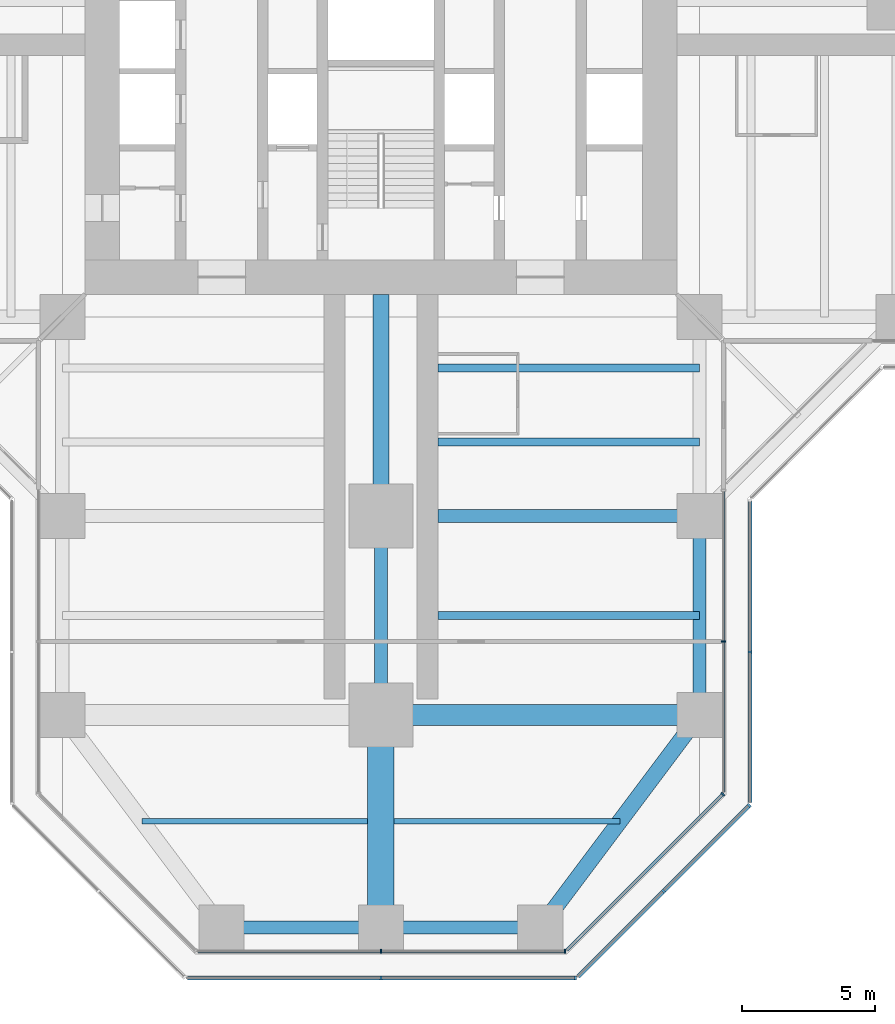
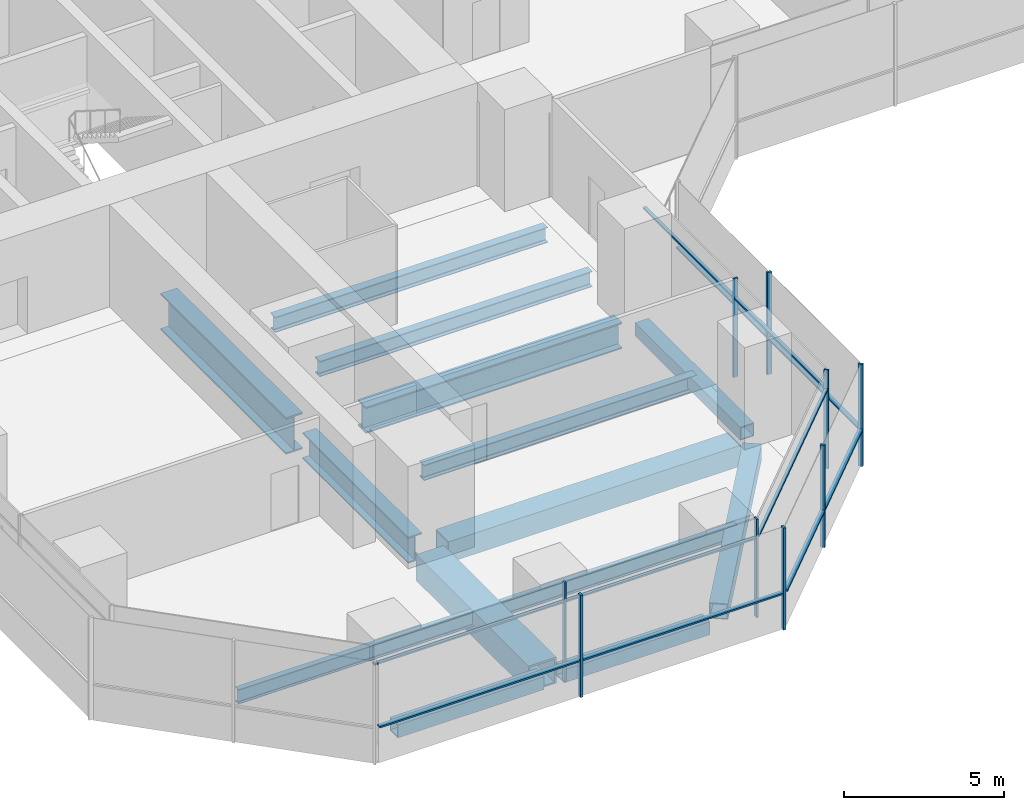
# One storey, part 5 of 22: 20 members, 14 beams, 6 elements without a shape of their own.
"""IFC4 building model written with IfcOpenShell, lengths in metres."""

from ifc_helpers import new_model, si_unit, direction, frame, origin, origin_2d, place, context, subcontext, project, spatial, rectangle, hollow_rectangle, i_section, extrude, material, material_profile, profile_set, type_object, element, aggregate, save


model = new_model("IFC4")

# Units and contexts
model_context = context("Model", 3, precision=1e-05, world=origin(), true_north=direction((0.0, 1.0)))
body_context = subcontext(model_context, "Body", "Model", "MODEL_VIEW")
ifc_project = project(units=[si_unit("LENGTHUNIT", "METRE"), si_unit("AREAUNIT", "SQUARE_METRE"), si_unit("VOLUMEUNIT", "CUBIC_METRE"), si_unit("PLANEANGLEUNIT", "RADIAN"), si_unit("MASSUNIT", "GRAM", prefix="KILO")], contexts=[model_context])

# Site, building, storey
site_placement = place(None, origin())
site = spatial("IfcSite", under=ifc_project, at=site_placement, CompositionType="ELEMENT")
building_placement = place(site_placement, origin())
building = spatial("IfcBuilding", under=site, at=building_placement, Name="Mizan Broadcast Tower", CompositionType="ELEMENT")
storey_placement = place(building_placement, frame((0.0, 0.0, 105.89990234375)))
storey = spatial("IfcBuildingStorey", under=building, at=storey_placement, Name="L23", CompositionType="ELEMENT", Elevation=105.89990234375)

# Beams
ifc_material_1 = material(Name="Steel S355", Category="steel")
ifc_material_profile_1 = material_profile(ifc_material_1, hollow_rectangle(XDim=0.5, YDim=0.5, WallThickness=0.030029296875, at=origin_2d()), Name="BOX 500x500x30")
ifc_profile_set_1 = profile_set([ifc_material_profile_1], Name="Steel S355")
beam_type_1 = type_object("IfcBeamType", Name="EDGE BEAM BOX 500x500x30", PredefinedType="SPANDREL", material=ifc_profile_set_1)
beam_1_placement = place(storey_placement, frame((-5.639892578125, -35.0, -0.3798828125), z_axis=(1.0, 0.0, 0.0), x_axis=(0.0, 1.0, 0.0)))
element("IfcBeam", 1, at=beam_1_placement, inside=storey, type_object=beam_type_1, Name="Edge beam BOX 500x500x30 L23 south arm", PredefinedType="SPANDREL", context=body_context, shape_type="SweptSolid", body=[
    extrude(hollow_rectangle(XDim=0.5, YDim=0.5, WallThickness=0.030029296875, at=origin_2d()), origin(), (0.0, 0.0, 1.0), 5.27978515625),
])
beam_2_placement = place(storey_placement, frame((12.0, -19.949951171875, -0.3798828125), z_axis=(0.0, -1.0, 0.0), x_axis=(1.0, 0.0, 0.0)))
element("IfcBeam", 2, at=beam_2_placement, inside=storey, type_object=beam_type_1, Name="Edge beam BOX 500x500x30 L23 south arm", PredefinedType="SPANDREL", context=body_context, shape_type="SweptSolid", body=[
    extrude(hollow_rectangle(XDim=0.5, YDim=0.5, WallThickness=0.030029296875, at=origin_2d()), origin(), (0.0, 0.0, 1.0), 6.60009765625),
])
beam_3_placement = place(storey_placement, frame((5.639892578125, -35.0, -0.3798828125), z_axis=(-1.0, 0.0, 0.0), x_axis=(0.0, -1.0, 0.0)))
element("IfcBeam", 3, at=beam_3_placement, inside=storey, type_object=beam_type_1, Name="Edge beam BOX 500x500x30 L23 south arm", PredefinedType="SPANDREL", context=body_context, shape_type="SweptSolid", body=[
    extrude(hollow_rectangle(XDim=0.5, YDim=0.5, WallThickness=0.030029296875, at=origin_2d()), origin(), (0.0, 0.0, 1.0), 5.27978515625),
])
ifc_material_2 = material(Name="Steel S355", Category="steel")
ifc_material_profile_2 = material_profile(ifc_material_2, hollow_rectangle(XDim=0.60009765625, YDim=0.60009765625, WallThickness=0.030029296875, at=origin_2d()), Name="BOX 600x600x30")
ifc_profile_set_2 = profile_set([ifc_material_profile_2], Name="Steel S355")
beam_type_2 = type_object("IfcBeamType", Name="EDGE BEAM BOX 600x600x30", PredefinedType="SPANDREL", material=ifc_profile_set_2)
beam_4_placement = place(storey_placement, frame((11.639892578125, -27.47998046875, -0.429931640625), z_axis=(-0.599982243973, -0.800013316712, 0.0), x_axis=(0.800013316712, -0.599982243973, 0.0)))
element("IfcBeam", 4, at=beam_4_placement, inside=storey, type_object=beam_type_2, Name="Edge beam BOX 600x600x30 L23 south arm", PredefinedType="SPANDREL", context=body_context, shape_type="SweptSolid", body=[
    extrude(hollow_rectangle(XDim=0.60009765625, YDim=0.60009765625, WallThickness=0.030029296875, at=origin_2d()), origin(), (0.0, 0.0, 1.0), 8.7998046875),
])
ifc_material_3 = material(Name="Steel S460", Category="steel")
ifc_material_profile_3 = material_profile(ifc_material_3, hollow_rectangle(XDim=1.0, YDim=1.0, WallThickness=0.06005859375, at=origin_2d()), Name="BOX 1000x1000x60")
ifc_profile_set_3 = profile_set([ifc_material_profile_3], Name="Steel S460")
beam_type_3 = type_object("IfcBeamType", Name="GIRDER BOX 1000x1000x60", PredefinedType="BEAM", material=ifc_profile_set_3)
beam_5_placement = place(storey_placement, frame((0.0, -27.47998046875, -0.6298828125), z_axis=(0.0, -1.0, 0.0), x_axis=(1.0, 0.0, 0.0)))
element("IfcBeam", 5, at=beam_5_placement, inside=storey, type_object=beam_type_3, Name="Girder BOX 1000x1000x60 L23 south arm", PredefinedType="BEAM", context=body_context, shape_type="SweptSolid", body=[
    extrude(hollow_rectangle(XDim=1.0, YDim=1.0, WallThickness=0.06005859375, at=origin_2d()), origin(), (0.0, 0.0, 1.0), 7.0400390625),
])
ifc_material_4 = material(Name="Steel S460", Category="steel")
ifc_material_profile_4 = material_profile(ifc_material_4, hollow_rectangle(XDim=0.800048828125, YDim=0.800048828125, WallThickness=0.050048828125, at=origin_2d()), Name="BOX 800x800x50")
ifc_profile_set_4 = profile_set([ifc_material_profile_4], Name="Steel S460")
beam_type_4 = type_object("IfcBeamType", Name="GIRDER BOX 800x800x50", PredefinedType="BEAM", material=ifc_profile_set_4)
beam_6_placement = place(storey_placement, frame((11.280029296875, -27.0, -0.52978515625), z_axis=(-1.0, 0.0, 0.0), x_axis=(0.0, -1.0, 0.0)))
element("IfcBeam", 6, at=beam_6_placement, inside=storey, type_object=beam_type_4, Name="Girder BOX 800x800x50 L23 south arm", PredefinedType="BEAM", context=body_context, shape_type="SweptSolid", body=[
    extrude(hollow_rectangle(XDim=0.800048828125, YDim=0.800048828125, WallThickness=0.050048828125, at=origin_2d()), origin(), (0.0, 0.0, 1.0), 10.56005859375),
])
ifc_material_5 = material(Name="Steel S460", Category="steel")
ifc_material_profile_5 = material_profile(ifc_material_5, i_section(OverallWidth=0.5, OverallDepth=1.0, WebThickness=0.02490234375, FlangeThickness=0.050048828125, at=origin_2d()), Name="WPG 1000x500")
ifc_profile_set_5 = profile_set([ifc_material_profile_5], Name="Steel S460")
beam_type_5 = type_object("IfcBeamType", Name="GIRDER WPG 1000x500", PredefinedType="BEAM", material=ifc_profile_set_5)
beam_7_placement = place(storey_placement, frame((0.0, -19.949951171875, -0.6298828125), z_axis=(0.0, -1.0, 0.0), x_axis=(1.0, 0.0, 0.0)))
element("IfcBeam", 7, at=beam_7_placement, inside=storey, type_object=beam_type_5, Name="Girder WPG 1000x500 L23 south arm", PredefinedType="BEAM", context=body_context, shape_type="SweptSolid", body=[
    extrude(i_section(OverallWidth=0.5, OverallDepth=1.0, WebThickness=0.02490234375, FlangeThickness=0.050048828125, at=origin_2d()), origin(), (0.0, 0.0, 1.0), 6.60009765625),
])
beam_8_placement = place(storey_placement, frame((11.408935546875, -19.5, -0.6298828125), z_axis=(-1.0, 0.0, 0.0), x_axis=(0.0, -1.0, 0.0)))
element("IfcBeam", 8, at=beam_8_placement, inside=storey, type_object=beam_type_5, Name="Girder WPG 1000x500 L23 south arm", PredefinedType="BEAM", context=body_context, shape_type="SweptSolid", body=[
    extrude(i_section(OverallWidth=0.5, OverallDepth=1.0, WebThickness=0.02490234375, FlangeThickness=0.050048828125, at=origin_2d()), origin(), (0.0, 0.0, 1.0), 9.259033203125),
])
ifc_material_6 = material(Name="Steel S460", Category="steel")
ifc_material_profile_6 = material_profile(ifc_material_6, i_section(OverallWidth=0.60009765625, OverallDepth=1.39990234375, WebThickness=0.02490234375, FlangeThickness=0.06005859375, at=origin_2d()), Name="WPG 1400x600")
ifc_profile_set_6 = profile_set([ifc_material_profile_6], Name="Steel S460")
beam_type_6 = type_object("IfcBeamType", Name="GIRDER WPG 1400x600", PredefinedType="BEAM", material=ifc_profile_set_6)
beam_9_placement = place(storey_placement, frame((0.0, -11.14990234375, -0.829833984375), z_axis=(0.0, -1.0, 0.0), x_axis=(1.0, 0.0, 0.0)))
element("IfcBeam", 9, at=beam_9_placement, inside=storey, type_object=beam_type_6, Name="Girder WPG 1400x600 L23 south arm", PredefinedType="BEAM", context=body_context, shape_type="SweptSolid", body=[
    extrude(i_section(OverallWidth=0.60009765625, OverallDepth=1.39990234375, WebThickness=0.02490234375, FlangeThickness=0.06005859375, at=origin_2d()), origin(), (0.0, 0.0, 1.0), 7.84912109375),
])

# Curtain wall, members
ifc_material_7 = material(Name="Aluminium framed glazing", Category="aluminium")
curtain_wall_type_1 = type_object("IfcCurtainWallType", Name="INNER SKIN LOW ZONE", PredefinedType="USERDEFINED", material=ifc_material_7)
curtain_wall_1_placement = place(storey_placement, origin())
curtain_wall_1 = element("IfcCurtainWall", 10, at=curtain_wall_1_placement, inside=storey, type_object=curtain_wall_type_1, Name="Inner skin low zone L23 S end", ObjectType="INNER SKIN LOW ZONE", PredefinedType="USERDEFINED")
ifc_material_8 = material(Name="Aluminium, pale anodised", Category="aluminium")
ifc_material_profile_7 = material_profile(ifc_material_8, rectangle(XDim=0.159912109375, YDim=0.06005859375, at=origin_2d()), Name="MULLION 160x60")
ifc_profile_set_7 = profile_set([ifc_material_profile_7], Name="Aluminium, pale anodised")
member_type_1 = type_object("IfcMemberType", Name="INNER SKIN MULLION 60x160", PredefinedType="MULLION", material=ifc_profile_set_7)
member_1_placement = place(storey_placement, frame((0.0, -35.89990234375, 0.0), z_axis=(0.0, 0.0, 1.0), x_axis=(0.0, 1.0, 0.0)))
member_1 = element("IfcMember", 11, at=member_1_placement, type_object=member_type_1, Name="Inner skin low zone L23 S end mullion 2", PredefinedType="MULLION", context=body_context, shape_type="SweptSolid", body=[
    extrude(rectangle(XDim=0.159912109375, YDim=0.06005859375, at=origin_2d()), origin(), (0.0, 0.0, 1.0), 3.77001953125),
])
member_2_placement = place(storey_placement, frame((6.928466796875, -35.89990234375, 0.0), z_axis=(0.0, 0.0, 1.0), x_axis=(0.0, 1.0, 0.0)))
member_2 = element("IfcMember", 12, at=member_2_placement, type_object=member_type_1, Name="Inner skin low zone L23 S end mullion 3", PredefinedType="MULLION", context=body_context, shape_type="SweptSolid", body=[
    extrude(rectangle(XDim=0.159912109375, YDim=0.06005859375, at=origin_2d()), origin(), (0.0, 0.0, 1.0), 3.77001953125),
])

# Curtain wall, member
curtain_wall_2_placement = place(storey_placement, origin())
curtain_wall_2 = element("IfcCurtainWall", 13, at=curtain_wall_2_placement, inside=storey, type_object=curtain_wall_type_1, Name="Inner skin low zone L23 S chamfer", ObjectType="INNER SKIN LOW ZONE", PredefinedType="USERDEFINED")
member_3_placement = place(storey_placement, frame((12.87890625, -29.979736328125, 0.0), z_axis=(0.0, 0.0, 1.0), x_axis=(-0.707106781187, 0.707106781187, 0.0)))
member_3 = element("IfcMember", 14, at=member_3_placement, type_object=member_type_1, Name="Inner skin low zone L23 S chamfer mullion 2", PredefinedType="MULLION", context=body_context, shape_type="SweptSolid", body=[
    extrude(rectangle(XDim=0.159912109375, YDim=0.06005859375, at=origin_2d()), origin(), (0.0, 0.0, 1.0), 3.77001953125),
])

curtain_wall_3_placement = place(storey_placement, origin())
curtain_wall_3 = element("IfcCurtainWall", 15, at=curtain_wall_3_placement, inside=storey, type_object=curtain_wall_type_1, Name="Inner skin low zone L23 S side", ObjectType="INNER SKIN LOW ZONE", PredefinedType="USERDEFINED")
member_4_placement = place(storey_placement, frame((12.89990234375, -24.229248046875, 0.0), z_axis=(0.0, 0.0, 1.0), x_axis=(-1.0, 0.0, 0.0)))
member_4 = element("IfcMember", 16, at=member_4_placement, type_object=member_type_1, Name="Inner skin low zone L23 S side mullion 2", PredefinedType="MULLION", context=body_context, shape_type="SweptSolid", body=[
    extrude(rectangle(XDim=0.159912109375, YDim=0.06005859375, at=origin_2d()), origin(), (0.0, 0.0, 1.0), 3.77001953125),
])

# Member
ifc_material_9 = material(Name="Aluminium, pale anodised", Category="aluminium")
ifc_material_profile_8 = material_profile(ifc_material_9, rectangle(XDim=0.1201171875, YDim=0.06005859375, at=origin_2d()), Name="TRANSOM 120x60")
ifc_profile_set_8 = profile_set([ifc_material_profile_8], Name="Aluminium, pale anodised")
member_type_2 = type_object("IfcMemberType", Name="INNER SKIN TRANSOM 60x120", PredefinedType="USERDEFINED", material=ifc_profile_set_8)
member_5_placement = place(storey_placement, frame((-6.898681640625, -35.89990234375, 3.030029296875), z_axis=(1.0, 0.0, 0.0), x_axis=(0.0, 1.0, 0.0)))
member_5 = element("IfcMember", 17, at=member_5_placement, type_object=member_type_2, Name="Inner skin low zone L23 S end transom 1.1", ObjectType="TRANSOM", PredefinedType="USERDEFINED", context=body_context, shape_type="SweptSolid", body=[
    extrude(rectangle(XDim=0.1201171875, YDim=0.06005859375, at=origin_2d()), origin(), (0.0, 0.0, 1.0), 6.86865234375),
])

member_6_placement = place(storey_placement, frame((0.030029296875, -35.89990234375, 3.030029296875), z_axis=(1.0, 0.0, 0.0), x_axis=(0.0, 1.0, 0.0)))
member_6 = element("IfcMember", 18, at=member_6_placement, type_object=member_type_2, Name="Inner skin low zone L23 S end transom 2.1", ObjectType="TRANSOM", PredefinedType="USERDEFINED", context=body_context, shape_type="SweptSolid", body=[
    extrude(rectangle(XDim=0.1201171875, YDim=0.06005859375, at=origin_2d()), origin(), (0.0, 0.0, 1.0), 6.86865234375),
])

aggregate(curtain_wall_1, [member_1, member_2, member_5, member_6])

member_7_placement = place(storey_placement, frame((7.0009765625, -35.857666015625, 3.030029296875), z_axis=(0.707106781187, 0.707106781187, 0.0), x_axis=(-0.707106781187, 0.707106781187, 0.0)))
member_7 = element("IfcMember", 19, at=member_7_placement, type_object=member_type_2, Name="Inner skin low zone L23 S chamfer transom 1.1", ObjectType="TRANSOM", PredefinedType="USERDEFINED", context=body_context, shape_type="SweptSolid", body=[
    extrude(rectangle(XDim=0.1201171875, YDim=0.06005859375, at=origin_2d()), origin(), (0.0, 0.0, 1.0), 8.28271484375),
])

aggregate(curtain_wall_2, [member_3, member_7])

member_8_placement = place(storey_placement, frame((12.89990234375, -29.898681640625, 3.030029296875), z_axis=(0.0, 1.0, 0.0), x_axis=(-1.0, 0.0, 0.0)))
member_8 = element("IfcMember", 20, at=member_8_placement, type_object=member_type_2, Name="Inner skin low zone L23 S side transom 1.1", ObjectType="TRANSOM", PredefinedType="USERDEFINED", context=body_context, shape_type="SweptSolid", body=[
    extrude(rectangle(XDim=0.1201171875, YDim=0.06005859375, at=origin_2d()), origin(), (0.0, 0.0, 1.0), 5.639404296875),
])

member_9_placement = place(storey_placement, frame((12.89990234375, -24.19921875, 3.030029296875), z_axis=(0.0, 1.0, 0.0), x_axis=(-1.0, 0.0, 0.0)))
member_9 = element("IfcMember", 21, at=member_9_placement, type_object=member_type_2, Name="Inner skin low zone L23 S side transom 2.1", ObjectType="TRANSOM", PredefinedType="USERDEFINED", context=body_context, shape_type="SweptSolid", body=[
    extrude(rectangle(XDim=0.1201171875, YDim=0.06005859375, at=origin_2d()), origin(), (0.0, 0.0, 1.0), 5.63916015625),
])

aggregate(curtain_wall_3, [member_4, member_8, member_9])

# Curtain wall, members
ifc_material_10 = material(Name="Aluminium framed glazing", Category="aluminium")
curtain_wall_type_2 = type_object("IfcCurtainWallType", Name="OUTER SKIN", PredefinedType="USERDEFINED", material=ifc_material_10)
curtain_wall_4_placement = place(storey_placement, origin())
curtain_wall_4 = element("IfcCurtainWall", 22, at=curtain_wall_4_placement, inside=storey, type_object=curtain_wall_type_2, Name="Outer skin L23 S end", ObjectType="OUTER SKIN", PredefinedType="USERDEFINED")
ifc_material_11 = material(Name="Aluminium, pale anodised", Category="aluminium")
ifc_material_profile_9 = material_profile(ifc_material_11, rectangle(XDim=0.159912109375, YDim=0.080078125, at=origin_2d()), Name="MULLION 160x80")
ifc_profile_set_9 = profile_set([ifc_material_profile_9], Name="Aluminium, pale anodised")
member_type_3 = type_object("IfcMemberType", Name="OUTER SKIN MULLION 80x160", PredefinedType="MULLION", material=ifc_profile_set_9)
member_10_placement = place(storey_placement, frame((0.0, -36.89990234375, 0.0), z_axis=(0.0, 0.0, 1.0), x_axis=(0.0, 1.0, 0.0)))
member_10 = element("IfcMember", 23, at=member_10_placement, type_object=member_type_3, Name="Outer skin L23 S end mullion 2", PredefinedType="MULLION", context=body_context, shape_type="SweptSolid", body=[
    extrude(rectangle(XDim=0.159912109375, YDim=0.080078125, at=origin_2d()), origin(), (0.0, 0.0, 1.0), 3.900146484375),
])
member_11_placement = place(storey_placement, frame((7.332763671875, -36.89990234375, 0.0), z_axis=(0.0, 0.0, 1.0), x_axis=(0.0, 1.0, 0.0)))
member_11 = element("IfcMember", 24, at=member_11_placement, type_object=member_type_3, Name="Outer skin L23 S end mullion 3", PredefinedType="MULLION", context=body_context, shape_type="SweptSolid", body=[
    extrude(rectangle(XDim=0.159912109375, YDim=0.080078125, at=origin_2d()), origin(), (0.0, 0.0, 1.0), 3.900146484375),
])

curtain_wall_5_placement = place(storey_placement, origin())
curtain_wall_5 = element("IfcCurtainWall", 25, at=curtain_wall_5_placement, inside=storey, type_object=curtain_wall_type_2, Name="Outer skin L23 S chamfer", ObjectType="OUTER SKIN", PredefinedType="USERDEFINED")
member_12_placement = place(storey_placement, frame((10.636474609375, -33.636474609375, 0.0), z_axis=(0.0, 0.0, 1.0), x_axis=(-0.707106781187, 0.707106781187, 0.0)))
member_12 = element("IfcMember", 26, at=member_12_placement, type_object=member_type_3, Name="Outer skin L23 S chamfer mullion 2", PredefinedType="MULLION", context=body_context, shape_type="SweptSolid", body=[
    extrude(rectangle(XDim=0.159912109375, YDim=0.080078125, at=origin_2d()), origin(), (0.0, 0.0, 1.0), 3.900146484375),
])
member_13_placement = place(storey_placement, frame((13.871826171875, -30.401123046875, 0.0), z_axis=(0.0, 0.0, 1.0), x_axis=(-0.707106781187, 0.707106781187, 0.0)))
member_13 = element("IfcMember", 27, at=member_13_placement, type_object=member_type_3, Name="Outer skin L23 S chamfer mullion 3", PredefinedType="MULLION", context=body_context, shape_type="SweptSolid", body=[
    extrude(rectangle(XDim=0.159912109375, YDim=0.080078125, at=origin_2d()), origin(), (0.0, 0.0, 1.0), 3.900146484375),
])

# Curtain wall, member
curtain_wall_6_placement = place(storey_placement, origin())
curtain_wall_6 = element("IfcCurtainWall", 28, at=curtain_wall_6_placement, inside=storey, type_object=curtain_wall_type_2, Name="Outer skin L23 S side", ObjectType="OUTER SKIN", PredefinedType="USERDEFINED")
member_14_placement = place(storey_placement, frame((13.89990234375, -24.622802734375, 0.0), z_axis=(0.0, 0.0, 1.0), x_axis=(-1.0, 0.0, 0.0)))
member_14 = element("IfcMember", 29, at=member_14_placement, type_object=member_type_3, Name="Outer skin L23 S side mullion 2", PredefinedType="MULLION", context=body_context, shape_type="SweptSolid", body=[
    extrude(rectangle(XDim=0.159912109375, YDim=0.080078125, at=origin_2d()), origin(), (0.0, 0.0, 1.0), 3.900146484375),
])

# Member
ifc_material_12 = material(Name="Aluminium, pale anodised", Category="aluminium")
ifc_material_profile_10 = material_profile(ifc_material_12, rectangle(XDim=0.159912109375, YDim=0.06005859375, at=origin_2d()), Name="TRANSOM 160x60")
ifc_profile_set_10 = profile_set([ifc_material_profile_10], Name="Aluminium, pale anodised")
member_type_4 = type_object("IfcMemberType", Name="OUTER SKIN TRANSOM 60x160", PredefinedType="USERDEFINED", material=ifc_profile_set_10)
member_15_placement = place(storey_placement, frame((-7.292724609375, -36.89990234375, 1.400146484375), z_axis=(1.0, 0.0, 0.0), x_axis=(0.0, 1.0, 0.0)))
member_15 = element("IfcMember", 30, at=member_15_placement, type_object=member_type_4, Name="Outer skin L23 S end transom 1.1", ObjectType="TRANSOM", PredefinedType="USERDEFINED", context=body_context, shape_type="SweptSolid", body=[
    extrude(rectangle(XDim=0.159912109375, YDim=0.06005859375, at=origin_2d()), origin(), (0.0, 0.0, 1.0), 7.252685546875),
])

member_16_placement = place(storey_placement, frame((0.0400390625, -36.89990234375, 1.400146484375), z_axis=(1.0, 0.0, 0.0), x_axis=(0.0, 1.0, 0.0)))
member_16 = element("IfcMember", 31, at=member_16_placement, type_object=member_type_4, Name="Outer skin L23 S end transom 2.1", ObjectType="TRANSOM", PredefinedType="USERDEFINED", context=body_context, shape_type="SweptSolid", body=[
    extrude(rectangle(XDim=0.159912109375, YDim=0.06005859375, at=origin_2d()), origin(), (0.0, 0.0, 1.0), 7.252685546875),
])

aggregate(curtain_wall_4, [member_10, member_11, member_15, member_16])

member_17_placement = place(storey_placement, frame((7.429443359375, -36.843505859375, 1.400146484375), z_axis=(0.707106781187, 0.707106781187, 0.0), x_axis=(-0.707106781187, 0.707106781187, 0.0)))
member_17 = element("IfcMember", 32, at=member_17_placement, type_object=member_type_4, Name="Outer skin L23 S chamfer transom 1.1", ObjectType="TRANSOM", PredefinedType="USERDEFINED", context=body_context, shape_type="SweptSolid", body=[
    extrude(rectangle(XDim=0.159912109375, YDim=0.06005859375, at=origin_2d()), origin(), (0.0, 0.0, 1.0), 4.495361328125),
])

member_18_placement = place(storey_placement, frame((10.664794921875, -33.608154296875, 1.400146484375), z_axis=(0.707106781187, 0.707106781187, 0.0), x_axis=(-0.707106781187, 0.707106781187, 0.0)))
member_18 = element("IfcMember", 33, at=member_18_placement, type_object=member_type_4, Name="Outer skin L23 S chamfer transom 2.1", ObjectType="TRANSOM", PredefinedType="USERDEFINED", context=body_context, shape_type="SweptSolid", body=[
    extrude(rectangle(XDim=0.159912109375, YDim=0.06005859375, at=origin_2d()), origin(), (0.0, 0.0, 1.0), 4.495361328125),
])

aggregate(curtain_wall_5, [member_12, member_13, member_17, member_18])

member_19_placement = place(storey_placement, frame((13.89990234375, -30.292724609375, 1.400146484375), z_axis=(0.0, 1.0, 0.0), x_axis=(-1.0, 0.0, 0.0)))
member_19 = element("IfcMember", 34, at=member_19_placement, type_object=member_type_4, Name="Outer skin L23 S side transom 1.1", ObjectType="TRANSOM", PredefinedType="USERDEFINED", context=body_context, shape_type="SweptSolid", body=[
    extrude(rectangle(XDim=0.159912109375, YDim=0.06005859375, at=origin_2d()), origin(), (0.0, 0.0, 1.0), 5.6298828125),
])

member_20_placement = place(storey_placement, frame((13.89990234375, -24.582763671875, 1.400146484375), z_axis=(0.0, 1.0, 0.0), x_axis=(-1.0, 0.0, 0.0)))
member_20 = element("IfcMember", 35, at=member_20_placement, type_object=member_type_4, Name="Outer skin L23 S side transom 2.1", ObjectType="TRANSOM", PredefinedType="USERDEFINED", context=body_context, shape_type="SweptSolid", body=[
    extrude(rectangle(XDim=0.159912109375, YDim=0.06005859375, at=origin_2d()), origin(), (0.0, 0.0, 1.0), 5.6298828125),
])

aggregate(curtain_wall_6, [member_14, member_19, member_20])

# Beams
ifc_material_13 = material(Name="Steel S355", Category="steel")
ifc_material_profile_11 = material_profile(ifc_material_13, i_section(OverallWidth=0.300048828125, OverallDepth=0.590087890625, WebThickness=0.012939453125, FlangeThickness=0.02490234375, FilletRadius=0.027099609375, at=origin_2d()), Name="HEA 600")
ifc_profile_set_11 = profile_set([ifc_material_profile_11], Name="Steel S355")
beam_type_7 = type_object("IfcBeamType", Name="SECONDARY BEAM HEA 600", PredefinedType="JOIST", material=ifc_profile_set_11)
for number, where, z_axis, x_axis, name in (
    (36, (12.0, -13.933349609375, -0.4248046875), (-1.0, 0.0, 0.0), (0.0, -1.0, 0.0), "Secondary beam HEA 600 L23 south arm"),
    (37, (12.0, -16.716552734375, -0.4248046875), (-1.0, 0.0, 0.0), (0.0, -1.0, 0.0), "Secondary beam HEA 600 L23 south arm"),
    (38, (12.0, -23.25, -0.4248046875), (-1.0, 0.0, 0.0), (0.0, -1.0, 0.0), "Secondary beam HEA 600 L23 south arm"),
):
    element("IfcBeam", number, at=place(storey_placement, frame(where, z_axis=z_axis, x_axis=x_axis)), inside=storey, type_object=beam_type_7, Name=name, PredefinedType="JOIST", context=body_context, shape_type="SweptSolid", body=[
        extrude(i_section(OverallWidth=0.300048828125, OverallDepth=0.590087890625, WebThickness=0.012939453125, FlangeThickness=0.02490234375, FilletRadius=0.027099609375, at=origin_2d()), origin(), (0.0, 0.0, 1.0), 9.85009765625),
    ])
ifc_material_14 = material(Name="Steel S355", Category="steel")
ifc_material_profile_12 = material_profile(ifc_material_14, i_section(OverallWidth=0.2099609375, OverallDepth=0.550048828125, WebThickness=0.010986328125, FlangeThickness=0.01708984375, FilletRadius=0.02392578125, at=origin_2d()), Name="IPE 550")
ifc_profile_set_12 = profile_set([ifc_material_profile_12], Name="Steel S355")
beam_type_8 = type_object("IfcBeamType", Name="SECONDARY BEAM IPE 550", PredefinedType="JOIST", material=ifc_profile_set_12)
for number, where, z_axis, x_axis, name in (
    (39, (-9.0, -31.0, -0.40478515625), (1.0, 0.0, 0.0), (0.0, 1.0, 0.0), "Secondary beam IPE 550 L23 south arm"),
    (40, (9.0, -31.0, -0.40478515625), (-1.0, 0.0, 0.0), (0.0, -1.0, 0.0), "Secondary beam IPE 550 L23 south arm"),
):
    element("IfcBeam", number, at=place(storey_placement, frame(where, z_axis=z_axis, x_axis=x_axis)), inside=storey, type_object=beam_type_8, Name=name, PredefinedType="JOIST", context=body_context, shape_type="SweptSolid", body=[
        extrude(i_section(OverallWidth=0.2099609375, OverallDepth=0.550048828125, WebThickness=0.010986328125, FlangeThickness=0.01708984375, FilletRadius=0.02392578125, at=origin_2d()), origin(), (0.0, 0.0, 1.0), 8.5),
    ])

save(model, "model.ifc")
